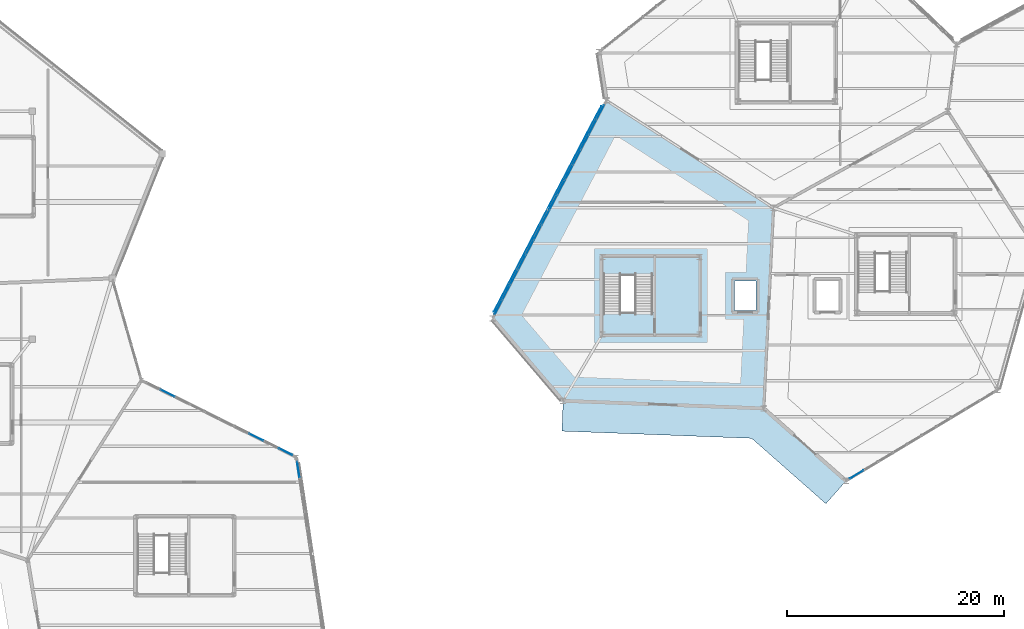
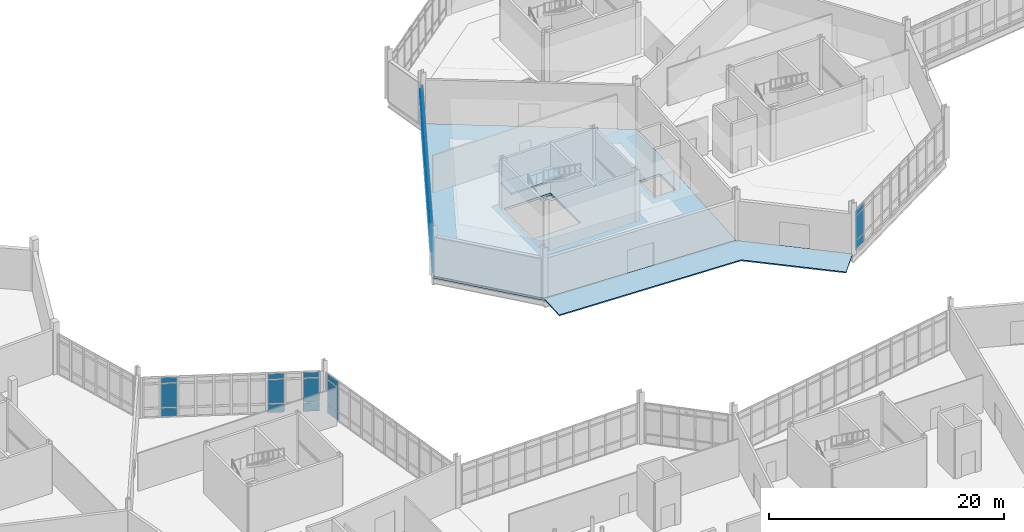
# One storey, part 77 of 113: 58 plates, 3 slabs, 5 elements without a shape of their own.
"""IFC4 building model written with IfcOpenShell, lengths in metres."""

from ifc_helpers import new_model, si_unit, direction, frame, origin, origin_2d, place, context, subcontext, project, spatial, polyline, rectangle, outline, extrude, material, layer, layer_set, type_object, element, aggregate, save


model = new_model("IFC4")

# Units and contexts
model_context = context("Model", 3, precision=1e-05, world=origin(), true_north=direction((0.0, 1.0)))
body_context = subcontext(model_context, "Body", "Model", "MODEL_VIEW")
ifc_project = project(units=[si_unit("LENGTHUNIT", "METRE"), si_unit("AREAUNIT", "SQUARE_METRE"), si_unit("VOLUMEUNIT", "CUBIC_METRE"), si_unit("PLANEANGLEUNIT", "RADIAN"), si_unit("MASSUNIT", "GRAM", prefix="KILO")], contexts=[model_context])

# Site, building, storey
site_placement = place(None, origin())
site = spatial("IfcSite", under=ifc_project, at=site_placement, CompositionType="ELEMENT")
building_placement = place(site_placement, origin())
building = spatial("IfcBuilding", under=site, at=building_placement, Name="Tameran Prism Museum", CompositionType="ELEMENT")
storey_placement = place(building_placement, origin())
storey = spatial("IfcBuildingStorey", under=building, at=storey_placement, Name="L00", CompositionType="ELEMENT", Elevation=0.0)

# Curtain wall, plates
ifc_material_1 = material(Name="Anodised Aluminium 6063-T6 and Cyclone Solar Glass", Category="aluminium")
curtain_wall_type_1 = type_object("IfcCurtainWallType", Name="CW-FAC-1563x422", PredefinedType="USERDEFINED", material=ifc_material_1)
curtain_wall_1_placement = place(storey_placement, origin())
curtain_wall_1 = element("IfcCurtainWall", 1, at=curtain_wall_1_placement, inside=storey, type_object=curtain_wall_type_1, Name="Unitised Curtain Wall CW-022", ObjectType="UNITISED CURTAIN WALL", PredefinedType="USERDEFINED")
ifc_material_2 = material(Name="Low-E Laminated Solar Glass", Category="glass")
ifc_layer_1 = layer(ifc_material_2, 0.028076171875)
ifc_layer_set_1 = layer_set([ifc_layer_1])
plate_type_1 = type_object("IfcPlateType", Name="CW-PNL-G28", PredefinedType="CURTAIN_PANEL", material=ifc_layer_set_1)
plate_1_placement = place(storey_placement, frame((126.487060546875, 64.4921875, 0.080078125), z_axis=(0.0, 0.0, 1.0), x_axis=(-0.857492925713, -0.514495755426, 0.0)))
plate_1 = element("IfcPlate", 2, at=plate_1_placement, type_object=plate_type_1, Name="CW-022 panel 10.1", PredefinedType="CURTAIN_PANEL", context=body_context, shape_type="SweptSolid", body=[
    extrude(rectangle(XDim=1.442626953125, YDim=0.028076171875, at=origin_2d()), origin(), (0.0, 0.0, 1.0), 0.8798828125),
])
plate_2_placement = place(storey_placement, frame((126.487060546875, 64.4921875, 1.0400390625), z_axis=(0.0, 0.0, 1.0), x_axis=(-0.857492925713, -0.514495755426, 0.0)))
plate_2 = element("IfcPlate", 3, at=plate_2_placement, type_object=plate_type_1, Name="CW-022 panel 10.2", PredefinedType="CURTAIN_PANEL", context=body_context, shape_type="SweptSolid", body=[
    extrude(rectangle(XDim=1.442626953125, YDim=0.028076171875, at=origin_2d()), origin(), (0.0, 0.0, 1.0), 2.4599609375),
])
plate_3_placement = place(storey_placement, frame((126.487060546875, 64.4921875, 3.580078125), z_axis=(0.0, 0.0, 1.0), x_axis=(-0.857492925713, -0.514495755426, 0.0)))
plate_3 = element("IfcPlate", 4, at=plate_3_placement, type_object=plate_type_1, Name="CW-022 panel 10.3", PredefinedType="CURTAIN_PANEL", context=body_context, shape_type="SweptSolid", body=[
    extrude(rectangle(XDim=1.442626953125, YDim=0.028076171875, at=origin_2d()), origin(), (0.0, 0.0, 1.0), 0.56005859375),
])
aggregate(curtain_wall_1, [plate_1, plate_2, plate_3])

ifc_material_3 = material(Name="Anodised Aluminium 6063-T6 and Cyclone Solar Glass", Category="aluminium")
curtain_wall_type_2 = type_object("IfcCurtainWallType", Name="CW-FAC-1734x422", PredefinedType="USERDEFINED", material=ifc_material_3)
curtain_wall_2_placement = place(storey_placement, origin())
curtain_wall_2 = element("IfcCurtainWall", 5, at=curtain_wall_2_placement, inside=storey, type_object=curtain_wall_type_2, Name="Unitised Curtain Wall CW-033", ObjectType="UNITISED CURTAIN WALL", PredefinedType="USERDEFINED")
plate_4_placement = place(storey_placement, frame((74.972412109375, 64.9560546875, 0.0751953125), z_axis=(0.0, 0.0, 1.0), x_axis=(0.149166532852, -0.988812088052, 0.0)))
plate_4 = element("IfcPlate", 6, at=plate_4_placement, type_object=plate_type_1, Name="CW-033 panel 1.1", PredefinedType="CURTAIN_PANEL", context=body_context, shape_type="SweptSolid", body=[
    extrude(rectangle(XDim=1.464111328125, YDim=0.028076171875, at=origin_2d()), origin(), (0.0, 0.0, 1.0), 0.887451171875),
])
plate_5_placement = place(storey_placement, frame((74.972412109375, 64.9560546875, 1.03759765625), z_axis=(0.0, 0.0, 1.0), x_axis=(0.149166532852, -0.988812088052, 0.0)))
plate_5 = element("IfcPlate", 7, at=plate_5_placement, type_object=plate_type_1, Name="CW-033 panel 1.2", PredefinedType="CURTAIN_PANEL", context=body_context, shape_type="SweptSolid", body=[
    extrude(rectangle(XDim=1.464111328125, YDim=0.028076171875, at=origin_2d()), origin(), (0.0, 0.0, 1.0), 2.465087890625),
])
plate_6_placement = place(storey_placement, frame((74.972412109375, 64.9560546875, 3.57763671875), z_axis=(0.0, 0.0, 1.0), x_axis=(0.149166532852, -0.988812088052, 0.0)))
plate_6 = element("IfcPlate", 8, at=plate_6_placement, type_object=plate_type_1, Name="CW-033 panel 1.3", PredefinedType="CURTAIN_PANEL", context=body_context, shape_type="SweptSolid", body=[
    extrude(rectangle(XDim=1.464111328125, YDim=0.028076171875, at=origin_2d()), origin(), (0.0, 0.0, 1.0), 0.5673828125),
])
aggregate(curtain_wall_2, [plate_4, plate_5, plate_6])

ifc_material_4 = material(Name="Anodised Aluminium 6063-T6 and Cyclone Solar Glass", Category="aluminium")
curtain_wall_type_3 = type_object("IfcCurtainWallType", Name="CW-FAC-2192x422", PredefinedType="USERDEFINED", material=ifc_material_4)
curtain_wall_3_placement = place(storey_placement, origin())
curtain_wall_3 = element("IfcCurtainWall", 9, at=curtain_wall_3_placement, inside=storey, type_object=curtain_wall_type_3, Name="Unitised Curtain Wall CW-021", ObjectType="UNITISED CURTAIN WALL", PredefinedType="USERDEFINED")
ifc_material_5 = material(Name="Cyclone Laminated Solar Glass", Category="glass")
ifc_layer_2 = layer(ifc_material_5, 0.031982421875)
ifc_layer_set_2 = layer_set([ifc_layer_2])
plate_type_2 = type_object("IfcPlateType", Name="CW-PNL-G32", PredefinedType="CURTAIN_PANEL", material=ifc_layer_set_2)
plate_7_placement = place(storey_placement, frame((93.43310546875, 79.92041015625, 0.0751953125), z_axis=(0.0, 0.0, 1.0), x_axis=(0.463002540551, 0.886356952612, 0.0)))
plate_7 = element("IfcPlate", 10, at=plate_7_placement, type_object=plate_type_2, Name="CW-021 panel 1.1", PredefinedType="CURTAIN_PANEL", context=body_context, shape_type="SweptSolid", body=[
    extrude(rectangle(XDim=1.453125, YDim=0.031982421875, at=origin_2d()), origin(), (0.0, 0.0, 1.0), 0.887451171875),
])
plate_8_placement = place(storey_placement, frame((93.43310546875, 79.92041015625, 1.03759765625), z_axis=(0.0, 0.0, 1.0), x_axis=(0.463002540551, 0.886356952612, 0.0)))
plate_8 = element("IfcPlate", 11, at=plate_8_placement, type_object=plate_type_2, Name="CW-021 panel 1.2", PredefinedType="CURTAIN_PANEL", context=body_context, shape_type="SweptSolid", body=[
    extrude(rectangle(XDim=1.453125, YDim=0.031982421875, at=origin_2d()), origin(), (0.0, 0.0, 1.0), 2.465087890625),
])
plate_9_placement = place(storey_placement, frame((93.43310546875, 79.92041015625, 3.57763671875), z_axis=(0.0, 0.0, 1.0), x_axis=(0.463002540551, 0.886356952612, 0.0)))
plate_9 = element("IfcPlate", 12, at=plate_9_placement, type_object=plate_type_2, Name="CW-021 panel 1.3", PredefinedType="CURTAIN_PANEL", context=body_context, shape_type="SweptSolid", body=[
    extrude(rectangle(XDim=1.453125, YDim=0.031982421875, at=origin_2d()), origin(), (0.0, 0.0, 1.0), 0.5673828125),
])
plate_10_placement = place(storey_placement, frame((94.149169921875, 81.29150390625, 0.0751953125), z_axis=(0.0, 0.0, 1.0), x_axis=(0.463002540551, 0.886356952612, 0.0)))
plate_10 = element("IfcPlate", 13, at=plate_10_placement, type_object=plate_type_2, Name="CW-021 panel 2.1", PredefinedType="CURTAIN_PANEL", context=body_context, shape_type="SweptSolid", body=[
    extrude(rectangle(XDim=1.490478515625, YDim=0.031982421875, at=origin_2d()), origin(), (0.0, 0.0, 1.0), 0.887451171875),
])
plate_11_placement = place(storey_placement, frame((94.149169921875, 81.29150390625, 1.03759765625), z_axis=(0.0, 0.0, 1.0), x_axis=(0.463002540551, 0.886356952612, 0.0)))
plate_11 = element("IfcPlate", 14, at=plate_11_placement, type_object=plate_type_2, Name="CW-021 panel 2.2", PredefinedType="CURTAIN_PANEL", context=body_context, shape_type="SweptSolid", body=[
    extrude(rectangle(XDim=1.490478515625, YDim=0.031982421875, at=origin_2d()), origin(), (0.0, 0.0, 1.0), 2.465087890625),
])
plate_12_placement = place(storey_placement, frame((94.149169921875, 81.29150390625, 3.57763671875), z_axis=(0.0, 0.0, 1.0), x_axis=(0.463002540551, 0.886356952612, 0.0)))
plate_12 = element("IfcPlate", 15, at=plate_12_placement, type_object=plate_type_2, Name="CW-021 panel 2.3", PredefinedType="CURTAIN_PANEL", context=body_context, shape_type="SweptSolid", body=[
    extrude(rectangle(XDim=1.490478515625, YDim=0.031982421875, at=origin_2d()), origin(), (0.0, 0.0, 1.0), 0.5673828125),
])
plate_13_placement = place(storey_placement, frame((94.8740234375, 82.67919921875, 0.0751953125), z_axis=(0.0, 0.0, 1.0), x_axis=(0.463002540551, 0.886356952612, 0.0)))
plate_13 = element("IfcPlate", 16, at=plate_13_placement, type_object=plate_type_2, Name="CW-021 panel 3.1", PredefinedType="CURTAIN_PANEL", context=body_context, shape_type="SweptSolid", body=[
    extrude(rectangle(XDim=1.490478515625, YDim=0.031982421875, at=origin_2d()), origin(), (0.0, 0.0, 1.0), 0.887451171875),
])
plate_14_placement = place(storey_placement, frame((94.8740234375, 82.67919921875, 1.03759765625), z_axis=(0.0, 0.0, 1.0), x_axis=(0.463002540551, 0.886356952612, 0.0)))
plate_14 = element("IfcPlate", 17, at=plate_14_placement, type_object=plate_type_2, Name="CW-021 panel 3.2", PredefinedType="CURTAIN_PANEL", context=body_context, shape_type="SweptSolid", body=[
    extrude(rectangle(XDim=1.490478515625, YDim=0.031982421875, at=origin_2d()), origin(), (0.0, 0.0, 1.0), 2.465087890625),
])
plate_15_placement = place(storey_placement, frame((94.8740234375, 82.67919921875, 3.57763671875), z_axis=(0.0, 0.0, 1.0), x_axis=(0.463002540551, 0.886356952612, 0.0)))
plate_15 = element("IfcPlate", 18, at=plate_15_placement, type_object=plate_type_2, Name="CW-021 panel 3.3", PredefinedType="CURTAIN_PANEL", context=body_context, shape_type="SweptSolid", body=[
    extrude(rectangle(XDim=1.490478515625, YDim=0.031982421875, at=origin_2d()), origin(), (0.0, 0.0, 1.0), 0.5673828125),
])
plate_16_placement = place(storey_placement, frame((95.59912109375, 84.066650390625, 0.0751953125), z_axis=(0.0, 0.0, 1.0), x_axis=(0.463002540551, 0.886356952612, 0.0)))
plate_16 = element("IfcPlate", 19, at=plate_16_placement, type_object=plate_type_2, Name="CW-021 panel 4.1", PredefinedType="CURTAIN_PANEL", context=body_context, shape_type="SweptSolid", body=[
    extrude(rectangle(XDim=1.490478515625, YDim=0.031982421875, at=origin_2d()), origin(), (0.0, 0.0, 1.0), 0.887451171875),
])
plate_17_placement = place(storey_placement, frame((95.59912109375, 84.066650390625, 1.03759765625), z_axis=(0.0, 0.0, 1.0), x_axis=(0.463002540551, 0.886356952612, 0.0)))
plate_17 = element("IfcPlate", 20, at=plate_17_placement, type_object=plate_type_2, Name="CW-021 panel 4.2", PredefinedType="CURTAIN_PANEL", context=body_context, shape_type="SweptSolid", body=[
    extrude(rectangle(XDim=1.490478515625, YDim=0.031982421875, at=origin_2d()), origin(), (0.0, 0.0, 1.0), 2.465087890625),
])
plate_18_placement = place(storey_placement, frame((95.59912109375, 84.066650390625, 3.57763671875), z_axis=(0.0, 0.0, 1.0), x_axis=(0.463002540551, 0.886356952612, 0.0)))
plate_18 = element("IfcPlate", 21, at=plate_18_placement, type_object=plate_type_2, Name="CW-021 panel 4.3", PredefinedType="CURTAIN_PANEL", context=body_context, shape_type="SweptSolid", body=[
    extrude(rectangle(XDim=1.490478515625, YDim=0.031982421875, at=origin_2d()), origin(), (0.0, 0.0, 1.0), 0.5673828125),
])
plate_19_placement = place(storey_placement, frame((96.323974609375, 85.454345703125, 0.0751953125), z_axis=(0.0, 0.0, 1.0), x_axis=(0.463002540551, 0.886356952612, 0.0)))
plate_19 = element("IfcPlate", 22, at=plate_19_placement, type_object=plate_type_2, Name="CW-021 panel 5.1", PredefinedType="CURTAIN_PANEL", context=body_context, shape_type="SweptSolid", body=[
    extrude(rectangle(XDim=1.490478515625, YDim=0.031982421875, at=origin_2d()), origin(), (0.0, 0.0, 1.0), 0.887451171875),
])
plate_20_placement = place(storey_placement, frame((96.323974609375, 85.454345703125, 1.03759765625), z_axis=(0.0, 0.0, 1.0), x_axis=(0.463002540551, 0.886356952612, 0.0)))
plate_20 = element("IfcPlate", 23, at=plate_20_placement, type_object=plate_type_2, Name="CW-021 panel 5.2", PredefinedType="CURTAIN_PANEL", context=body_context, shape_type="SweptSolid", body=[
    extrude(rectangle(XDim=1.490478515625, YDim=0.031982421875, at=origin_2d()), origin(), (0.0, 0.0, 1.0), 2.465087890625),
])
plate_21_placement = place(storey_placement, frame((96.323974609375, 85.454345703125, 3.57763671875), z_axis=(0.0, 0.0, 1.0), x_axis=(0.463002540551, 0.886356952612, 0.0)))
plate_21 = element("IfcPlate", 24, at=plate_21_placement, type_object=plate_type_2, Name="CW-021 panel 5.3", PredefinedType="CURTAIN_PANEL", context=body_context, shape_type="SweptSolid", body=[
    extrude(rectangle(XDim=1.490478515625, YDim=0.031982421875, at=origin_2d()), origin(), (0.0, 0.0, 1.0), 0.5673828125),
])
plate_22_placement = place(storey_placement, frame((97.048828125, 86.842041015625, 0.0751953125), z_axis=(0.0, 0.0, 1.0), x_axis=(0.463002540551, 0.886356952612, 0.0)))
plate_22 = element("IfcPlate", 25, at=plate_22_placement, type_object=plate_type_2, Name="CW-021 panel 6.1", PredefinedType="CURTAIN_PANEL", context=body_context, shape_type="SweptSolid", body=[
    extrude(rectangle(XDim=1.490478515625, YDim=0.031982421875, at=origin_2d()), origin(), (0.0, 0.0, 1.0), 0.887451171875),
])
plate_23_placement = place(storey_placement, frame((97.048828125, 86.842041015625, 1.03759765625), z_axis=(0.0, 0.0, 1.0), x_axis=(0.463002540551, 0.886356952612, 0.0)))
plate_23 = element("IfcPlate", 26, at=plate_23_placement, type_object=plate_type_2, Name="CW-021 panel 6.2", PredefinedType="CURTAIN_PANEL", context=body_context, shape_type="SweptSolid", body=[
    extrude(rectangle(XDim=1.490478515625, YDim=0.031982421875, at=origin_2d()), origin(), (0.0, 0.0, 1.0), 2.465087890625),
])
plate_24_placement = place(storey_placement, frame((97.048828125, 86.842041015625, 3.57763671875), z_axis=(0.0, 0.0, 1.0), x_axis=(0.463002540551, 0.886356952612, 0.0)))
plate_24 = element("IfcPlate", 27, at=plate_24_placement, type_object=plate_type_2, Name="CW-021 panel 6.3", PredefinedType="CURTAIN_PANEL", context=body_context, shape_type="SweptSolid", body=[
    extrude(rectangle(XDim=1.490478515625, YDim=0.031982421875, at=origin_2d()), origin(), (0.0, 0.0, 1.0), 0.5673828125),
])
plate_25_placement = place(storey_placement, frame((97.773681640625, 88.229736328125, 0.0751953125), z_axis=(0.0, 0.0, 1.0), x_axis=(0.463002540551, 0.886356952612, 0.0)))
plate_25 = element("IfcPlate", 28, at=plate_25_placement, type_object=plate_type_2, Name="CW-021 panel 7.1", PredefinedType="CURTAIN_PANEL", context=body_context, shape_type="SweptSolid", body=[
    extrude(rectangle(XDim=1.490478515625, YDim=0.031982421875, at=origin_2d()), origin(), (0.0, 0.0, 1.0), 0.887451171875),
])
plate_26_placement = place(storey_placement, frame((97.773681640625, 88.229736328125, 1.03759765625), z_axis=(0.0, 0.0, 1.0), x_axis=(0.463002540551, 0.886356952612, 0.0)))
plate_26 = element("IfcPlate", 29, at=plate_26_placement, type_object=plate_type_2, Name="CW-021 panel 7.2", PredefinedType="CURTAIN_PANEL", context=body_context, shape_type="SweptSolid", body=[
    extrude(rectangle(XDim=1.490478515625, YDim=0.031982421875, at=origin_2d()), origin(), (0.0, 0.0, 1.0), 2.465087890625),
])
plate_27_placement = place(storey_placement, frame((97.773681640625, 88.229736328125, 3.57763671875), z_axis=(0.0, 0.0, 1.0), x_axis=(0.463002540551, 0.886356952612, 0.0)))
plate_27 = element("IfcPlate", 30, at=plate_27_placement, type_object=plate_type_2, Name="CW-021 panel 7.3", PredefinedType="CURTAIN_PANEL", context=body_context, shape_type="SweptSolid", body=[
    extrude(rectangle(XDim=1.490478515625, YDim=0.031982421875, at=origin_2d()), origin(), (0.0, 0.0, 1.0), 0.5673828125),
])
plate_28_placement = place(storey_placement, frame((98.49853515625, 89.617431640625, 0.0751953125), z_axis=(0.0, 0.0, 1.0), x_axis=(0.463002540551, 0.886356952612, 0.0)))
plate_28 = element("IfcPlate", 31, at=plate_28_placement, type_object=plate_type_2, Name="CW-021 panel 8.1", PredefinedType="CURTAIN_PANEL", context=body_context, shape_type="SweptSolid", body=[
    extrude(rectangle(XDim=1.490478515625, YDim=0.031982421875, at=origin_2d()), origin(), (0.0, 0.0, 1.0), 0.887451171875),
])
plate_29_placement = place(storey_placement, frame((98.49853515625, 89.617431640625, 1.03759765625), z_axis=(0.0, 0.0, 1.0), x_axis=(0.463002540551, 0.886356952612, 0.0)))
plate_29 = element("IfcPlate", 32, at=plate_29_placement, type_object=plate_type_2, Name="CW-021 panel 8.2", PredefinedType="CURTAIN_PANEL", context=body_context, shape_type="SweptSolid", body=[
    extrude(rectangle(XDim=1.490478515625, YDim=0.031982421875, at=origin_2d()), origin(), (0.0, 0.0, 1.0), 2.465087890625),
])
plate_30_placement = place(storey_placement, frame((98.49853515625, 89.617431640625, 3.57763671875), z_axis=(0.0, 0.0, 1.0), x_axis=(0.463002540551, 0.886356952612, 0.0)))
plate_30 = element("IfcPlate", 33, at=plate_30_placement, type_object=plate_type_2, Name="CW-021 panel 8.3", PredefinedType="CURTAIN_PANEL", context=body_context, shape_type="SweptSolid", body=[
    extrude(rectangle(XDim=1.490478515625, YDim=0.031982421875, at=origin_2d()), origin(), (0.0, 0.0, 1.0), 0.5673828125),
])
plate_31_placement = place(storey_placement, frame((99.223388671875, 91.0048828125, 0.0751953125), z_axis=(0.0, 0.0, 1.0), x_axis=(0.463002540551, 0.886356952612, 0.0)))
plate_31 = element("IfcPlate", 34, at=plate_31_placement, type_object=plate_type_2, Name="CW-021 panel 9.1", PredefinedType="CURTAIN_PANEL", context=body_context, shape_type="SweptSolid", body=[
    extrude(rectangle(XDim=1.490478515625, YDim=0.031982421875, at=origin_2d()), origin(), (0.0, 0.0, 1.0), 0.887451171875),
])
plate_32_placement = place(storey_placement, frame((99.223388671875, 91.0048828125, 1.03759765625), z_axis=(0.0, 0.0, 1.0), x_axis=(0.463002540551, 0.886356952612, 0.0)))
plate_32 = element("IfcPlate", 35, at=plate_32_placement, type_object=plate_type_2, Name="CW-021 panel 9.2", PredefinedType="CURTAIN_PANEL", context=body_context, shape_type="SweptSolid", body=[
    extrude(rectangle(XDim=1.490478515625, YDim=0.031982421875, at=origin_2d()), origin(), (0.0, 0.0, 1.0), 2.465087890625),
])
plate_33_placement = place(storey_placement, frame((99.223388671875, 91.0048828125, 3.57763671875), z_axis=(0.0, 0.0, 1.0), x_axis=(0.463002540551, 0.886356952612, 0.0)))
plate_33 = element("IfcPlate", 36, at=plate_33_placement, type_object=plate_type_2, Name="CW-021 panel 9.3", PredefinedType="CURTAIN_PANEL", context=body_context, shape_type="SweptSolid", body=[
    extrude(rectangle(XDim=1.490478515625, YDim=0.031982421875, at=origin_2d()), origin(), (0.0, 0.0, 1.0), 0.5673828125),
])
plate_34_placement = place(storey_placement, frame((99.9482421875, 92.392578125, 0.0751953125), z_axis=(0.0, 0.0, 1.0), x_axis=(0.463002540551, 0.886356952612, 0.0)))
plate_34 = element("IfcPlate", 37, at=plate_34_placement, type_object=plate_type_2, Name="CW-021 panel 10.1", PredefinedType="CURTAIN_PANEL", context=body_context, shape_type="SweptSolid", body=[
    extrude(rectangle(XDim=1.490478515625, YDim=0.031982421875, at=origin_2d()), origin(), (0.0, 0.0, 1.0), 0.887451171875),
])
plate_35_placement = place(storey_placement, frame((99.9482421875, 92.392578125, 1.03759765625), z_axis=(0.0, 0.0, 1.0), x_axis=(0.463002540551, 0.886356952612, 0.0)))
plate_35 = element("IfcPlate", 38, at=plate_35_placement, type_object=plate_type_2, Name="CW-021 panel 10.2", PredefinedType="CURTAIN_PANEL", context=body_context, shape_type="SweptSolid", body=[
    extrude(rectangle(XDim=1.490478515625, YDim=0.031982421875, at=origin_2d()), origin(), (0.0, 0.0, 1.0), 2.465087890625),
])
plate_36_placement = place(storey_placement, frame((99.9482421875, 92.392578125, 3.57763671875), z_axis=(0.0, 0.0, 1.0), x_axis=(0.463002540551, 0.886356952612, 0.0)))
plate_36 = element("IfcPlate", 39, at=plate_36_placement, type_object=plate_type_2, Name="CW-021 panel 10.3", PredefinedType="CURTAIN_PANEL", context=body_context, shape_type="SweptSolid", body=[
    extrude(rectangle(XDim=1.490478515625, YDim=0.031982421875, at=origin_2d()), origin(), (0.0, 0.0, 1.0), 0.5673828125),
])
plate_37_placement = place(storey_placement, frame((100.673095703125, 93.7802734375, 0.0751953125), z_axis=(0.0, 0.0, 1.0), x_axis=(0.463002540551, 0.886356952612, 0.0)))
plate_37 = element("IfcPlate", 40, at=plate_37_placement, type_object=plate_type_2, Name="CW-021 panel 11.1", PredefinedType="CURTAIN_PANEL", context=body_context, shape_type="SweptSolid", body=[
    extrude(rectangle(XDim=1.490478515625, YDim=0.031982421875, at=origin_2d()), origin(), (0.0, 0.0, 1.0), 0.887451171875),
])
plate_38_placement = place(storey_placement, frame((100.673095703125, 93.7802734375, 1.03759765625), z_axis=(0.0, 0.0, 1.0), x_axis=(0.463002540551, 0.886356952612, 0.0)))
plate_38 = element("IfcPlate", 41, at=plate_38_placement, type_object=plate_type_2, Name="CW-021 panel 11.2", PredefinedType="CURTAIN_PANEL", context=body_context, shape_type="SweptSolid", body=[
    extrude(rectangle(XDim=1.490478515625, YDim=0.031982421875, at=origin_2d()), origin(), (0.0, 0.0, 1.0), 2.465087890625),
])
plate_39_placement = place(storey_placement, frame((100.673095703125, 93.7802734375, 3.57763671875), z_axis=(0.0, 0.0, 1.0), x_axis=(0.463002540551, 0.886356952612, 0.0)))
plate_39 = element("IfcPlate", 42, at=plate_39_placement, type_object=plate_type_2, Name="CW-021 panel 11.3", PredefinedType="CURTAIN_PANEL", context=body_context, shape_type="SweptSolid", body=[
    extrude(rectangle(XDim=1.490478515625, YDim=0.031982421875, at=origin_2d()), origin(), (0.0, 0.0, 1.0), 0.5673828125),
])
plate_40_placement = place(storey_placement, frame((101.39794921875, 95.16796875, 0.0751953125), z_axis=(0.0, 0.0, 1.0), x_axis=(0.463002540551, 0.886356952612, 0.0)))
plate_40 = element("IfcPlate", 43, at=plate_40_placement, type_object=plate_type_2, Name="CW-021 panel 12.1", PredefinedType="CURTAIN_PANEL", context=body_context, shape_type="SweptSolid", body=[
    extrude(rectangle(XDim=1.490478515625, YDim=0.031982421875, at=origin_2d()), origin(), (0.0, 0.0, 1.0), 0.887451171875),
])
plate_41_placement = place(storey_placement, frame((101.39794921875, 95.16796875, 1.03759765625), z_axis=(0.0, 0.0, 1.0), x_axis=(0.463002540551, 0.886356952612, 0.0)))
plate_41 = element("IfcPlate", 44, at=plate_41_placement, type_object=plate_type_2, Name="CW-021 panel 12.2", PredefinedType="CURTAIN_PANEL", context=body_context, shape_type="SweptSolid", body=[
    extrude(rectangle(XDim=1.490478515625, YDim=0.031982421875, at=origin_2d()), origin(), (0.0, 0.0, 1.0), 2.465087890625),
])
plate_42_placement = place(storey_placement, frame((101.39794921875, 95.16796875, 3.57763671875), z_axis=(0.0, 0.0, 1.0), x_axis=(0.463002540551, 0.886356952612, 0.0)))
plate_42 = element("IfcPlate", 45, at=plate_42_placement, type_object=plate_type_2, Name="CW-021 panel 12.3", PredefinedType="CURTAIN_PANEL", context=body_context, shape_type="SweptSolid", body=[
    extrude(rectangle(XDim=1.490478515625, YDim=0.031982421875, at=origin_2d()), origin(), (0.0, 0.0, 1.0), 0.5673828125),
])
plate_43_placement = place(storey_placement, frame((102.122802734375, 96.555419921875, 0.0751953125), z_axis=(0.0, 0.0, 1.0), x_axis=(0.463002540551, 0.886356952612, 0.0)))
plate_43 = element("IfcPlate", 46, at=plate_43_placement, type_object=plate_type_2, Name="CW-021 panel 13.1", PredefinedType="CURTAIN_PANEL", context=body_context, shape_type="SweptSolid", body=[
    extrude(rectangle(XDim=1.490478515625, YDim=0.031982421875, at=origin_2d()), origin(), (0.0, 0.0, 1.0), 0.887451171875),
])
plate_44_placement = place(storey_placement, frame((102.122802734375, 96.555419921875, 1.03759765625), z_axis=(0.0, 0.0, 1.0), x_axis=(0.463002540551, 0.886356952612, 0.0)))
plate_44 = element("IfcPlate", 47, at=plate_44_placement, type_object=plate_type_2, Name="CW-021 panel 13.2", PredefinedType="CURTAIN_PANEL", context=body_context, shape_type="SweptSolid", body=[
    extrude(rectangle(XDim=1.490478515625, YDim=0.031982421875, at=origin_2d()), origin(), (0.0, 0.0, 1.0), 2.465087890625),
])
plate_45_placement = place(storey_placement, frame((102.122802734375, 96.555419921875, 3.57763671875), z_axis=(0.0, 0.0, 1.0), x_axis=(0.463002540551, 0.886356952612, 0.0)))
plate_45 = element("IfcPlate", 48, at=plate_45_placement, type_object=plate_type_2, Name="CW-021 panel 13.3", PredefinedType="CURTAIN_PANEL", context=body_context, shape_type="SweptSolid", body=[
    extrude(rectangle(XDim=1.490478515625, YDim=0.031982421875, at=origin_2d()), origin(), (0.0, 0.0, 1.0), 0.5673828125),
])
plate_46_placement = place(storey_placement, frame((102.8388671875, 97.926513671875, 0.0751953125), z_axis=(0.0, 0.0, 1.0), x_axis=(0.463002540551, 0.886356952612, 0.0)))
plate_46 = element("IfcPlate", 49, at=plate_46_placement, type_object=plate_type_2, Name="CW-021 panel 14.1", PredefinedType="CURTAIN_PANEL", context=body_context, shape_type="SweptSolid", body=[
    extrude(rectangle(XDim=1.453125, YDim=0.031982421875, at=origin_2d()), origin(), (0.0, 0.0, 1.0), 0.887451171875),
])
plate_47_placement = place(storey_placement, frame((102.8388671875, 97.926513671875, 1.03759765625), z_axis=(0.0, 0.0, 1.0), x_axis=(0.463002540551, 0.886356952612, 0.0)))
plate_47 = element("IfcPlate", 50, at=plate_47_placement, type_object=plate_type_2, Name="CW-021 panel 14.2", PredefinedType="CURTAIN_PANEL", context=body_context, shape_type="SweptSolid", body=[
    extrude(rectangle(XDim=1.453125, YDim=0.031982421875, at=origin_2d()), origin(), (0.0, 0.0, 1.0), 2.465087890625),
])
plate_48_placement = place(storey_placement, frame((102.8388671875, 97.926513671875, 3.57763671875), z_axis=(0.0, 0.0, 1.0), x_axis=(0.463002540551, 0.886356952612, 0.0)))
plate_48 = element("IfcPlate", 51, at=plate_48_placement, type_object=plate_type_2, Name="CW-021 panel 14.3", PredefinedType="CURTAIN_PANEL", context=body_context, shape_type="SweptSolid", body=[
    extrude(rectangle(XDim=1.453125, YDim=0.031982421875, at=origin_2d()), origin(), (0.0, 0.0, 1.0), 0.5673828125),
])
aggregate(curtain_wall_3, [plate_7, plate_8, plate_9, plate_10, plate_11, plate_12, plate_13, plate_14, plate_15, plate_16, plate_17, plate_18, plate_19, plate_20, plate_21, plate_22, plate_23, plate_24, plate_25, plate_26, plate_27, plate_28, plate_29, plate_30, plate_31, plate_32, plate_33, plate_34, plate_35, plate_36, plate_37, plate_38, plate_39, plate_40, plate_41, plate_42, plate_43, plate_44, plate_45, plate_46, plate_47, plate_48])

ifc_material_6 = material(Name="Anodised Aluminium 6063-T6 and Cyclone Solar Glass", Category="aluminium")
curtain_wall_type_4 = type_object("IfcCurtainWallType", Name="CW-FAC-1520x422", PredefinedType="USERDEFINED", material=ifc_material_6)
curtain_wall_4_placement = place(storey_placement, origin())
curtain_wall_4 = element("IfcCurtainWall", 52, at=curtain_wall_4_placement, inside=storey, type_object=curtain_wall_type_4, Name="Unitised Curtain Wall CW-034", ObjectType="UNITISED CURTAIN WALL", PredefinedType="USERDEFINED")
plate_49_placement = place(storey_placement, frame((62.909912109375, 72.0029296875, 0.080078125), z_axis=(0.0, 0.0, 1.0), x_axis=(0.895712459966, -0.444633769593, 0.0)))
plate_49 = element("IfcPlate", 53, at=plate_49_placement, type_object=plate_type_2, Name="CW-034 panel 2.1", PredefinedType="CURTAIN_PANEL", context=body_context, shape_type="SweptSolid", body=[
    extrude(rectangle(XDim=1.440673828125, YDim=0.031982421875, at=origin_2d()), origin(), (0.0, 0.0, 1.0), 0.8798828125),
])
plate_50_placement = place(storey_placement, frame((62.909912109375, 72.0029296875, 1.0400390625), z_axis=(0.0, 0.0, 1.0), x_axis=(0.895712459966, -0.444633769593, 0.0)))
plate_50 = element("IfcPlate", 54, at=plate_50_placement, type_object=plate_type_2, Name="CW-034 panel 2.2", PredefinedType="CURTAIN_PANEL", context=body_context, shape_type="SweptSolid", body=[
    extrude(rectangle(XDim=1.440673828125, YDim=0.031982421875, at=origin_2d()), origin(), (0.0, 0.0, 1.0), 2.4599609375),
])
plate_51_placement = place(storey_placement, frame((62.909912109375, 72.0029296875, 3.580078125), z_axis=(0.0, 0.0, 1.0), x_axis=(0.895712459966, -0.444633769593, 0.0)))
plate_51 = element("IfcPlate", 55, at=plate_51_placement, type_object=plate_type_2, Name="CW-034 panel 2.3", PredefinedType="CURTAIN_PANEL", context=body_context, shape_type="SweptSolid", body=[
    extrude(rectangle(XDim=1.440673828125, YDim=0.031982421875, at=origin_2d()), origin(), (0.0, 0.0, 1.0), 0.56005859375),
])
plate_52_placement = place(storey_placement, frame((71.08203125, 67.9462890625, 0.080078125), z_axis=(0.0, 0.0, 1.0), x_axis=(0.895712459966, -0.444633769593, 0.0)))
plate_52 = element("IfcPlate", 56, at=plate_52_placement, type_object=plate_type_2, Name="CW-034 panel 8.1", PredefinedType="CURTAIN_PANEL", context=body_context, shape_type="SweptSolid", body=[
    extrude(rectangle(XDim=1.440673828125, YDim=0.031982421875, at=origin_2d()), origin(), (0.0, 0.0, 1.0), 0.8798828125),
])
plate_53_placement = place(storey_placement, frame((71.08203125, 67.9462890625, 1.0400390625), z_axis=(0.0, 0.0, 1.0), x_axis=(0.895712459966, -0.444633769593, 0.0)))
plate_53 = element("IfcPlate", 57, at=plate_53_placement, type_object=plate_type_2, Name="CW-034 panel 8.2", PredefinedType="CURTAIN_PANEL", context=body_context, shape_type="SweptSolid", body=[
    extrude(rectangle(XDim=1.440673828125, YDim=0.031982421875, at=origin_2d()), origin(), (0.0, 0.0, 1.0), 2.4599609375),
])
plate_54_placement = place(storey_placement, frame((71.08203125, 67.9462890625, 3.580078125), z_axis=(0.0, 0.0, 1.0), x_axis=(0.895712459966, -0.444633769593, 0.0)))
plate_54 = element("IfcPlate", 58, at=plate_54_placement, type_object=plate_type_2, Name="CW-034 panel 8.3", PredefinedType="CURTAIN_PANEL", context=body_context, shape_type="SweptSolid", body=[
    extrude(rectangle(XDim=1.440673828125, YDim=0.031982421875, at=origin_2d()), origin(), (0.0, 0.0, 1.0), 0.56005859375),
])
plate_55_placement = place(storey_placement, frame((73.7880859375, 66.60302734375, 0.080078125), z_axis=(0.0, 0.0, 1.0), x_axis=(0.895712459966, -0.444633769593, 0.0)))
plate_55 = element("IfcPlate", 59, at=plate_55_placement, type_object=plate_type_2, Name="CW-034 panel 10.1", PredefinedType="CURTAIN_PANEL", context=body_context, shape_type="SweptSolid", body=[
    extrude(rectangle(XDim=1.400634765625, YDim=0.031982421875, at=origin_2d()), origin(), (0.0, 0.0, 1.0), 0.8798828125),
])
plate_56_placement = place(storey_placement, frame((73.7880859375, 66.60302734375, 1.0400390625), z_axis=(0.0, 0.0, 1.0), x_axis=(0.895712459966, -0.444633769593, 0.0)))
plate_56 = element("IfcPlate", 60, at=plate_56_placement, type_object=plate_type_2, Name="CW-034 panel 10.2", PredefinedType="CURTAIN_PANEL", context=body_context, shape_type="SweptSolid", body=[
    extrude(rectangle(XDim=1.400634765625, YDim=0.031982421875, at=origin_2d()), origin(), (0.0, 0.0, 1.0), 2.4599609375),
])
plate_57_placement = place(storey_placement, frame((73.7880859375, 66.60302734375, 3.580078125), z_axis=(0.0, 0.0, 1.0), x_axis=(0.895712459966, -0.444633769593, 0.0)))
plate_57 = element("IfcPlate", 61, at=plate_57_placement, type_object=plate_type_2, Name="CW-034 panel 10.3", PredefinedType="CURTAIN_PANEL", context=body_context, shape_type="SweptSolid", body=[
    extrude(rectangle(XDim=1.400634765625, YDim=0.031982421875, at=origin_2d()), origin(), (0.0, 0.0, 1.0), 0.56005859375),
])
aggregate(curtain_wall_4, [plate_49, plate_50, plate_51, plate_52, plate_53, plate_54, plate_55, plate_56, plate_57])

# Plate
ifc_material_7 = material(Name="Perforated Marine Aluminium Storm Screen", Category="aluminium")
ifc_layer_3 = layer(ifc_material_7, 0.011962890625)
ifc_layer_set_3 = layer_set([ifc_layer_3])
plate_type_3 = type_object("IfcPlateType", Name="CW-PNL-P12", PredefinedType="SHEET", material=ifc_layer_set_3)
plate_58_placement = place(storey_placement, frame((97.97607421875, 89.006103515625, 3.530029296875), z_axis=(0.0, 0.0, 1.0), x_axis=(0.462986663495, 0.886365246062, 0.0)))
element("IfcPlate", 62, at=plate_58_placement, inside=storey, type_object=plate_type_3, Name="Cyclone Perforated Sun-Breaker SS-001", PredefinedType="SHEET", context=body_context, shape_type="SweptSolid", body=[
    extrude(rectangle(XDim=21.4169921875, YDim=0.02001953125, at=origin_2d()), origin(), (0.0, 0.0, 1.0), 0.47998046875),
])

# Slab
ifc_material_8 = material(Name="Concrete N40 (40 MPa)", Category="concrete")
ifc_layer_4 = layer(ifc_material_8, 0.239990234375)
ifc_layer_set_4 = layer_set([ifc_layer_4])
slab_type_1 = type_object("IfcSlabType", Name="SL-FLR-240", PredefinedType="FLOOR", material=ifc_layer_set_4)
slab_1_placement = place(storey_placement, frame((0.0, 0.0, -0.239990234375)))
element("IfcSlab", 63, at=slab_1_placement, inside=storey, type_object=slab_type_1, Name="Floor Slab FS-P01-L00", PredefinedType="FLOOR", context=body_context, shape_type="SweptSolid", body=[
    extrude(outline(polyline([(92.89990234375, 78.89990234375), (103.39990234375, 99.0), (118.800048828125, 89.10009765625), (117.89990234375, 70.60009765625), (99.39990234375, 71.300048828125), (92.89990234375, 78.89990234375)]), holes=[polyline([(117.199951171875, 79.64990234375), (117.199951171875, 82.35009765625), (115.199951171875, 82.35009765625), (115.199951171875, 79.64990234375), (117.199951171875, 79.64990234375)]), polyline([(107.719970703125, 79.43994140625), (107.719970703125, 84.550048828125), (103.10009765625, 84.550048828125), (103.10009765625, 79.43994140625), (107.719970703125, 79.43994140625)])]), origin(), (0.0, 0.0, 1.0), 0.239990234375),
])

# Stair, slab
ifc_material_9 = material(Name="Concrete N40 (40 MPa)", Category="concrete")
stair_type = type_object("IfcStairType", Name="ST-CORE-54", PredefinedType="HALF_TURN_STAIR", material=ifc_material_9)
stair_placement = place(storey_placement, origin())
stair = element("IfcStair", 64, at=stair_placement, inside=storey, type_object=stair_type, Name="Fire-Isolated Stair ST-01-L00", PredefinedType="HALF_TURN_STAIR")
ifc_material_10 = material(Name="Concrete N40 (40 MPa)", Category="concrete")
ifc_layer_5 = layer(ifc_material_10, 0.18505859375)
ifc_layer_set_5 = layer_set([ifc_layer_5])
slab_type_2 = type_object("IfcSlabType", Name="SL-LND-185", PredefinedType="LANDING", material=ifc_layer_set_5)
slab_2_placement = place(storey_placement, frame((0.0, 0.0, 2.514892578125)))
slab_2 = element("IfcSlab", 65, at=slab_2_placement, type_object=slab_type_2, Name="ST-01-L00 landing 1", PredefinedType="LANDING", context=body_context, shape_type="SweptSolid", body=[
    extrude(outline(polyline([(102.8798828125, 82.85009765625), (107.8701171875, 82.85009765625), (107.8701171875, 84.719970703125), (102.8798828125, 84.719970703125), (102.8798828125, 82.85009765625)])), origin(), (0.0, 0.0, 1.0), 0.18505859375),
])
aggregate(stair, [slab_2])

# Slab
ifc_material_11 = material(Name="Concrete N32 (32 MPa)", Category="concrete")
ifc_layer_6 = layer(ifc_material_11, 0.1201171875)
ifc_layer_set_6 = layer_set([ifc_layer_6])
slab_type_3 = type_object("IfcSlabType", Name="SL-PAV-120", PredefinedType="USERDEFINED", material=ifc_layer_set_6)
slab_3_placement = place(storey_placement, frame((0.0, 0.0, -0.1201171875)))
element("IfcSlab", 66, at=slab_3_placement, inside=storey, type_object=slab_type_3, Name="Exterior Forecourt Paving Slab AP-12", ObjectType="PAVING", PredefinedType="USERDEFINED", context=body_context, shape_type="SweptSolid", body=[
    extrude(outline(polyline([(99.39990234375, 71.300048828125), (117.840087890625, 70.60205078125), (117.833984375, 70.43408203125), (117.945068359375, 70.56005859375), (125.5, 63.89990234375), (123.64794921875, 61.800048828125), (116.797119140625, 67.839111328125), (99.2939453125, 68.501953125), (99.39990234375, 71.300048828125)])), origin(), (0.0, 0.0, 1.0), 0.1201171875),
])

save(model, "model.ifc")
